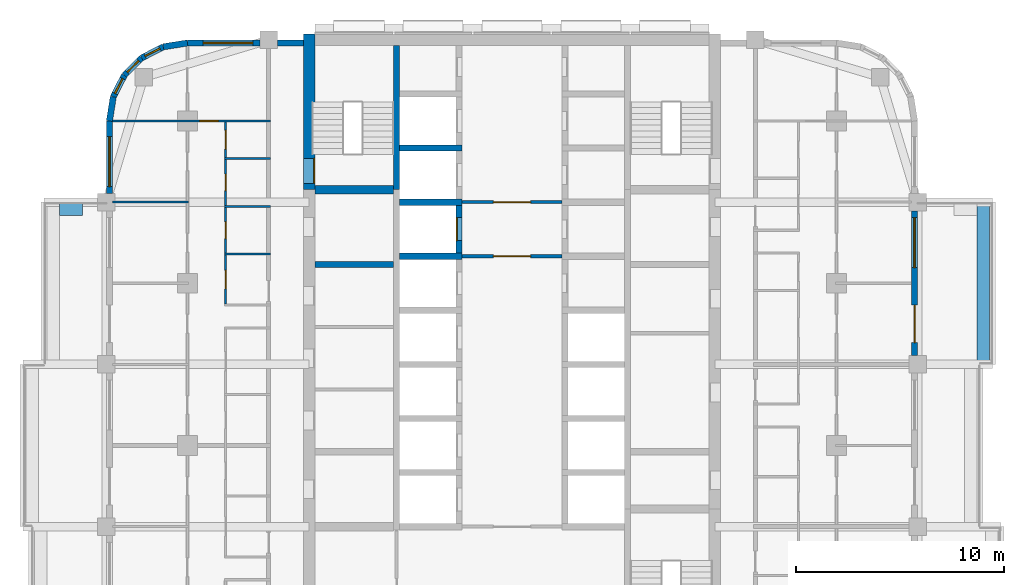
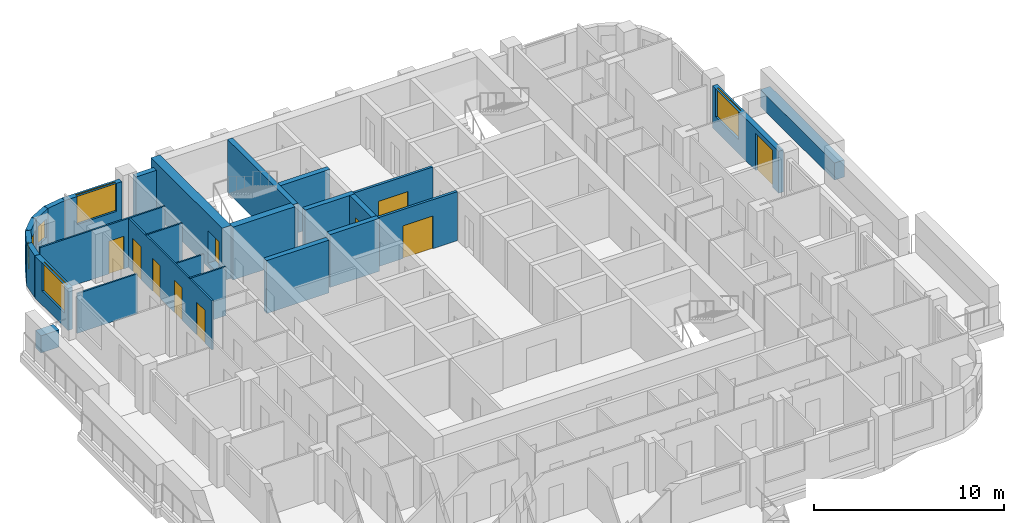
# One storey, part 8 of 14: 27 walls, 10 doors, 6 windows, 16 openings.
"""IFC4 building model written with IfcOpenShell, lengths in metres."""

import ifcopenshell
import ifcopenshell.guid

model = None  # the IFC model being written
_history = None  # IfcOwnerHistory: only IFC2X3 demands one
_inside = {}  # id of a spatial element -> (the spatial element, [elements in it])
_under = {}  # id of a project, library or spatial element -> (it, [spatial elements below it])
_declared = {}  # id of a project -> (the project, [libraries it declares])
_typed = {}  # id of a type object -> (the type object, [elements of that type])
_made_of = {}  # id of a material, layer set ... -> (it, [elements and type objects made of it])


def new_model(schema):
    """Start an empty IFC model of exactly this schema.

    Asked for "IFC4X3", IfcOpenShell would pick the latest addendum, in which some entities
    have other attributes; the version numbers below select the first issue.
    IFC2X3 requires an IfcOwnerHistory on every rooted entity: one is made here for all.
    """
    global model, _history
    if schema == "IFC4X3":
        model = ifcopenshell.file(schema_version=(4, 3, 0, 0))
    else:
        model = ifcopenshell.file(schema=schema)
    _inside.clear()
    _under.clear()
    _declared.clear()
    _typed.clear()
    _made_of.clear()
    _history = None
    if model.schema == "IFC2X3":
        org = make("IfcOrganization", Name="unknown")
        user = make(
            "IfcPersonAndOrganization",
            ThePerson=make("IfcPerson", FamilyName="unknown"),
            TheOrganization=org,
        )
        app = make(
            "IfcApplication",
            ApplicationDeveloper=org,
            Version="unknown",
            ApplicationFullName="unknown",
            ApplicationIdentifier="unknown",
        )
        _history = make(
            "IfcOwnerHistory",
            OwningUser=user,
            OwningApplication=app,
            ChangeAction="ADDED",
            CreationDate=0,
        )
    return model


def make(cls, **values):
    """One entity of the class cls with the attributes given. An attribute that is None is left unset."""
    return model.create_entity(
        cls, **{name: value for name, value in values.items() if value is not None}
    )


def rooted(cls, **values):
    """An entity with a GlobalId (a new one), such as an element, a storey or a relation."""
    return make(cls, GlobalId=ifcopenshell.guid.new(), OwnerHistory=_history, **values)


def si_unit(unit_type, name, prefix=None):
    """IfcSIUnit, for example si_unit("LENGTHUNIT", "METRE", prefix="MILLI")."""
    return make("IfcSIUnit", UnitType=unit_type, Prefix=prefix, Name=name)


def assignment(units):
    """IfcUnitAssignment: the units of a project."""
    return None if units is None else make("IfcUnitAssignment", Units=units)


def point(xyz):
    """IfcCartesianPoint."""
    return None if xyz is None else make("IfcCartesianPoint", Coordinates=xyz)


def direction(xyz):
    """IfcDirection."""
    return None if xyz is None else make("IfcDirection", DirectionRatios=xyz)


def frame(location, z_axis=None, x_axis=None):
    """IfcAxis2Placement3D, a coordinate frame: its origin and axes. An axis left out is left unset."""
    return make(
        "IfcAxis2Placement3D",
        Location=point(location),
        Axis=direction(z_axis),
        RefDirection=direction(x_axis),
    )


def frame_2d(location, x_axis=None):
    """IfcAxis2Placement2D, a coordinate frame in the plane: its origin and x axis."""
    return make(
        "IfcAxis2Placement2D", Location=point(location), RefDirection=direction(x_axis)
    )


def origin():
    """The frame at (0, 0, 0) with its axes left unset."""
    return frame((0.0, 0.0, 0.0))


def place(relative_to, where):
    """IfcLocalPlacement: puts the frame where relative to a parent placement (None: the world)."""
    return make(
        "IfcLocalPlacement", PlacementRelTo=relative_to, RelativePlacement=where
    )


def context(
    kind, dimensions, precision=None, world=None, true_north=None, identifier=None
):
    """IfcGeometricRepresentationContext, for example the 3D "Model" context."""
    return make(
        "IfcGeometricRepresentationContext",
        ContextIdentifier=identifier,
        ContextType=kind,
        CoordinateSpaceDimension=dimensions,
        Precision=precision,
        WorldCoordinateSystem=world,
        TrueNorth=true_north,
    )


def subcontext(parent, identifier, kind, view, scale=None):
    """IfcGeometricRepresentationSubContext, for example "Body" below "Model"."""
    return make(
        "IfcGeometricRepresentationSubContext",
        ContextIdentifier=identifier,
        ContextType=kind,
        ParentContext=parent,
        TargetScale=scale,
        TargetView=view,
    )


def project(units=None, contexts=None):
    """IfcProject with its units and contexts."""
    return rooted(
        "IfcProject",
        Name="project",
        RepresentationContexts=contexts,
        UnitsInContext=assignment(units),
    )


def spatial(cls, under=None, at=None, **own):
    """A site, building, storey or space (cls), placed at a placement, below another one or the project."""
    s = rooted(cls, ObjectPlacement=at, **own)
    if under is not None:
        _under.setdefault(under.id(), (under, []))[1].append(s)
    return s


def profile(cls, at=None, kind="AREA", **sizes):
    """A parametric profile (cls). Its sizes go by their IFC names, for example OverallWidth=200.0."""
    return make(cls, ProfileType=kind, Position=at, **sizes)


def rectangle(**sizes):
    """IfcRectangleProfileDef."""
    return profile("IfcRectangleProfileDef", **sizes)


def extrude(swept, where, along, depth):
    """IfcExtrudedAreaSolid: the profile swept, set in the frame where, extruded along a direction by depth."""
    return make(
        "IfcExtrudedAreaSolid",
        SweptArea=swept,
        Position=where,
        ExtrudedDirection=direction(along),
        Depth=depth,
    )


def shape(context_of_items, identifier, shape_type, items):
    """IfcShapeRepresentation: the items that make up one representation, for example the "Body"."""
    return make(
        "IfcShapeRepresentation",
        ContextOfItems=context_of_items,
        RepresentationIdentifier=identifier,
        RepresentationType=shape_type,
        Items=items,
    )


def material(Name=None, Category=None):
    """IfcMaterial."""
    return make("IfcMaterial", Name=Name, Category=Category)


def layer(
    of_material, thickness, ventilated=None, Name=None, Category=None, Priority=None
):
    """IfcMaterialLayer: one layer of a wall or slab, of a material (None: an air gap)."""
    return make(
        "IfcMaterialLayer",
        Material=of_material,
        LayerThickness=thickness,
        IsVentilated=ventilated,
        Name=Name,
        Category=Category,
        Priority=Priority,
    )


def layer_set(layers, Name=None):
    """IfcMaterialLayerSet."""
    return make("IfcMaterialLayerSet", MaterialLayers=layers, LayerSetName=Name)


def made_of(thing, what):
    """Note that an element or type object is made of a material, layer set ...; save() writes the relation."""
    if what is not None:
        _made_of.setdefault(what.id(), (what, []))[1].append(thing)
    return thing


def type_object(cls, material=None, **own):
    """A type object (cls), such as IfcWallType, which elements share."""
    return made_of(rooted(cls, **own), material)


def element(
    cls,
    number,
    at=None,
    inside=None,
    cuts=None,
    type_object=None,
    material=None,
    context=None,
    identifier="Body",
    shape_type=None,
    held_by="IfcProductDefinitionShape",
    body=None,
    shapes=None,
    **own,
):
    """One element of the class cls, such as IfcWall. Its Tag is "e" and its number.

    at: its placement. inside: the storey or other place that contains it. cuts: it is an
    opening in that element (IfcRelVoidsElement). A single representation is given by context,
    identifier, shape_type and body (its items); several are given by shapes. held_by: the class
    of the entity that holds the representations. save() writes the other relations.
    """
    e = rooted(cls, Tag="e%d" % number, ObjectPlacement=at, **own)
    if body is not None:
        shapes = [shape(context, identifier, shape_type, body)]
    if shapes is not None:
        e.Representation = make(held_by, Representations=shapes)
    if inside is not None:
        _inside.setdefault(inside.id(), (inside, []))[1].append(e)
    if cuts is not None:
        rooted(
            "IfcRelVoidsElement", RelatingBuildingElement=cuts, RelatedOpeningElement=e
        )
    if type_object is not None:
        _typed.setdefault(type_object.id(), (type_object, []))[1].append(e)
    return made_of(e, material)


def fill(opening, filler):
    """IfcRelFillsElement: the door or window that sits in an opening."""
    return rooted(
        "IfcRelFillsElement",
        RelatingOpeningElement=opening,
        RelatedBuildingElement=filler,
    )


def aggregate(whole, parts):
    """IfcRelAggregates: a whole, such as a stair, and the parts it consists of."""
    return rooted("IfcRelAggregates", RelatingObject=whole, RelatedObjects=parts)


def save(model, path):
    """Write the relations noted so far, then the file.

    IfcRelAggregates (storeys below a building ...), IfcRelContainedInSpatialStructure (elements
    in a storey), IfcRelDefinesByType, IfcRelAssociatesMaterial and IfcRelDeclares: one each for
    every whole, place, type object, material and project.
    """
    for whole, parts in _under.values():
        aggregate(whole, parts)
    for where, things in _inside.values():
        rooted(
            "IfcRelContainedInSpatialStructure",
            RelatedElements=things,
            RelatingStructure=where,
        )
    for kind, things in _typed.values():
        rooted("IfcRelDefinesByType", RelatedObjects=things, RelatingType=kind)
    for what, things in _made_of.values():
        rooted("IfcRelAssociatesMaterial", RelatedObjects=things, RelatingMaterial=what)
    for by, libraries in _declared.values():
        rooted("IfcRelDeclares", RelatingContext=by, RelatedDefinitions=libraries)
    model.write(path)


model = new_model("IFC4")

# Units and contexts
model_context = context("Model", 3, precision=1e-05, world=origin(), true_north=direction((0.0, 1.0)))
body_context = subcontext(model_context, "Body", "Model", "MODEL_VIEW")
ifc_project = project(units=[si_unit("LENGTHUNIT", "METRE"), si_unit("AREAUNIT", "SQUARE_METRE"), si_unit("VOLUMEUNIT", "CUBIC_METRE"), si_unit("PLANEANGLEUNIT", "RADIAN"), si_unit("MASSUNIT", "GRAM", prefix="KILO")], contexts=[model_context])

# Site, building, storey
site_placement = place(None, origin())
site = spatial("IfcSite", under=ifc_project, at=site_placement, CompositionType="ELEMENT")
building_placement = place(site_placement, origin())
building = spatial("IfcBuilding", under=site, at=building_placement, Name="Ludao Terraces", CompositionType="ELEMENT")
storey_placement = place(building_placement, frame((0.0, 0.0, 103.300048828125)))
storey = spatial("IfcBuildingStorey", under=building, at=storey_placement, Name="L28", CompositionType="ELEMENT", Elevation=103.300048828125)

# Wall, opening, door
ifc_material_1 = material(Name="Concrete C60", Category="concrete")
ifc_layer_1 = layer(ifc_material_1, 0.550048828125)
ifc_layer_set_1 = layer_set([ifc_layer_1], Name="Core wall 550 C60")
wall_type_1 = type_object("IfcWallType", Name="Core wall 550 C60", PredefinedType="SOLIDWALL", material=ifc_layer_set_1)
wall_1_placement = place(storey_placement, frame((75.25, 77.300048828125, -0.25), z_axis=(0.0, 0.0, 1.0), x_axis=(0.0, 1.0, 0.0)))
wall_1 = element("IfcWall", 1, at=wall_1_placement, inside=storey, type_object=wall_type_1, Name="Core wall L28 outer-W-S1", PredefinedType="SOLIDWALL", context=body_context, shape_type="SweptSolid", body=[
    extrude(rectangle(XDim=7.474853515625, YDim=0.550048828125, at=frame_2d((3.7373046875, 0.0))), origin(), (0.0, 0.0, 1.0), 3.39990234375),
])
opening_1_placement = place(wall_1_placement, frame((0.300048828125, 0.0, 0.25)))
opening_1 = element("IfcOpeningElement", 2, at=opening_1_placement, cuts=wall_1, Name="Opening R08-088", PredefinedType="OPENING", context=body_context, shape_type="SweptSolid", body=[
    extrude(rectangle(XDim=1.199951171875, YDim=2.10009765625, at=frame_2d((0.60009765625, 1.050048828125))), frame((0.0, 0.28515625, 0.0), z_axis=(0.0, -1.0, 0.0), x_axis=(1.0, 0.0, 0.0)), (0.0, 0.0, 1.0), 0.570068359375),
])
ifc_material_2 = material(Name="Steel Q235", Category="steel")
door_type_1 = type_object("IfcDoorType", Name="INT Stair door 1200", OperationType="DOUBLE_DOOR_SINGLE_SWING", PredefinedType="DOOR", material=ifc_material_2)
door_1_placement = place(opening_1_placement, origin())
door_1 = element("IfcDoor", 3, at=door_1_placement, inside=storey, type_object=door_type_1, Name="DOOR 088", OperationType="DOUBLE_DOOR_SINGLE_SWING", OverallHeight=2.10009765625, OverallWidth=1.199951171875, PredefinedType="DOOR", context=body_context, shape_type="SweptSolid", body=[
    extrude(rectangle(XDim=1.199951171875, YDim=2.10009765625, at=frame_2d((0.60009765625, 1.050048828125))), frame((0.0, -0.2099609375, 0.0), z_axis=(0.0, -1.0, 0.0), x_axis=(1.0, 0.0, 0.0)), (0.0, 0.0, 1.0), 0.050048828125),
])
fill(opening_1, door_1)

# Walls
ifc_material_3 = material(Name="Concrete C40", Category="concrete")
ifc_layer_2 = layer(ifc_material_3, 0.60009765625)
ifc_layer_set_2 = layer_set([ifc_layer_2], Name="ENV Planter trough 600")
wall_type_2 = type_object("IfcWallType", Name="ENV Planter trough 600", PredefinedType="USERDEFINED", material=ifc_layer_set_2)
wall_2_placement = place(storey_placement, frame((107.64990234375, 68.89990234375, 0.0), z_axis=(0.0, 0.0, 1.0), x_axis=(0.0, 1.0, 0.0)))
element("IfcWall", 4, at=wall_2_placement, inside=storey, type_object=wall_type_2, Name="PL-L28-E3", ObjectType="PLANTER", PredefinedType="USERDEFINED", context=body_context, shape_type="SweptSolid", body=[
    extrude(rectangle(XDim=7.800048828125, YDim=0.60009765625, at=frame_2d((3.89990234375, 0.0))), origin(), (0.0, 0.0, 1.0), 1.099853515625),
])
wall_3_placement = place(storey_placement, frame((63.25, 76.35009765625, 0.0), z_axis=(0.0, 0.0, 1.0), x_axis=(1.0, 0.0, 0.0)))
element("IfcWall", 5, at=wall_3_placement, inside=storey, type_object=wall_type_2, Name="PL-L28-W3-SB", ObjectType="PLANTER", PredefinedType="USERDEFINED", context=body_context, shape_type="SweptSolid", body=[
    extrude(rectangle(XDim=1.10009765625, YDim=0.60009765625, at=frame_2d((0.550048828125, 0.0))), origin(), (0.0, 0.0, 1.0), 1.099853515625),
])

# Wall, openings, door, window
ifc_material_4 = material(Name="Granite cladding", Category="masonry")
ifc_layer_3 = layer(ifc_material_4, 0.0400390625, Category="stone")
ifc_material_5 = material(Name="Mineral wool")
ifc_layer_4 = layer(ifc_material_5, 0.06005859375)
ifc_layer_5 = layer(ifc_material_3, 0.199951171875, Category="concrete")
ifc_layer_set_3 = layer_set([ifc_layer_3, ifc_layer_4, ifc_layer_5], Name="ENV Stone-clad wall 300")
wall_type_3 = type_object("IfcWallType", Name="ENV Stone-clad wall 300", PredefinedType="SOLIDWALL", material=ifc_layer_set_3)
wall_4_placement = place(storey_placement, frame((104.35009765625, 69.324951171875, 0.0), z_axis=(0.0, 0.0, 1.0), x_axis=(0.0, 1.0, 0.0)))
wall_4 = element("IfcWall", 6, at=wall_4_placement, inside=storey, type_object=wall_type_3, Name="EW-L28-E4", PredefinedType="SOLIDWALL", context=body_context, shape_type="SweptSolid", body=[
    extrude(rectangle(XDim=6.949951171875, YDim=0.300048828125, at=frame_2d((3.47509765625, 0.0))), origin(), (0.0, 0.0, 1.0), 2.699951171875),
])
opening_2_placement = place(wall_4_placement, frame((0.625, 0.0, 0.0)))
opening_2 = element("IfcOpeningElement", 7, at=opening_2_placement, cuts=wall_4, Name="Opening BD", PredefinedType="OPENING", context=body_context, shape_type="SweptSolid", body=[
    extrude(rectangle(XDim=1.800048828125, YDim=2.39990234375, at=frame_2d((0.89990234375, 1.199951171875))), frame((0.0, 0.16015625, 0.0), z_axis=(0.0, -1.0, 0.0), x_axis=(1.0, 0.0, 0.0)), (0.0, 0.0, 1.0), 0.320068359375),
])
opening_3_placement = place(wall_4_placement, frame((4.22509765625, 0.0, 0.89990234375)))
opening_3 = element("IfcOpeningElement", 8, at=opening_3_placement, cuts=wall_4, Name="Opening W1", PredefinedType="OPENING", context=body_context, shape_type="SweptSolid", body=[
    extrude(rectangle(XDim=2.39990234375, YDim=1.800048828125, at=frame_2d((1.199951171875, 0.89990234375))), frame((0.0, 0.16015625, 0.0), z_axis=(0.0, -1.0, 0.0), x_axis=(1.0, 0.0, 0.0)), (0.0, 0.0, 1.0), 0.320068359375),
])
ifc_material_6 = material(Name="Aluminium glazed door", Category="aluminium")
ifc_layer_6 = layer(ifc_material_6, 0.06005859375)
ifc_layer_set_4 = layer_set([ifc_layer_6], Name="ENV Balcony door BD 1800x2400")
door_type_2 = type_object("IfcDoorType", Name="ENV Balcony door BD 1800x2400", OperationType="DOUBLE_DOOR_SINGLE_SWING", PredefinedType="DOOR", material=ifc_layer_set_4)
door_2_placement = place(opening_2_placement, origin())
door_2 = element("IfcDoor", 9, at=door_2_placement, inside=storey, type_object=door_type_2, Name="BD-L28-E4-1", OperationType="DOUBLE_DOOR_SINGLE_SWING", OverallHeight=2.39990234375, OverallWidth=1.800048828125, PredefinedType="DOOR", context=body_context, shape_type="SweptSolid", body=[
    extrude(rectangle(XDim=1.800048828125, YDim=2.39990234375, at=frame_2d((0.89990234375, 1.199951171875))), frame((0.0, 0.02490234375, 0.0), z_axis=(0.0, -1.0, 0.0), x_axis=(1.0, 0.0, 0.0)), (0.0, 0.0, 1.0), 0.050048828125),
])
fill(opening_2, door_2)
ifc_material_7 = material(Name="Clear glass in aluminium frame", Category="aluminium")
ifc_layer_7 = layer(ifc_material_7, 0.06005859375)
ifc_layer_set_5 = layer_set([ifc_layer_7], Name="ENV Window W1 2400x1800")
window_type_1 = type_object("IfcWindowType", Name="ENV Window W1 2400x1800", PartitioningType="DOUBLE_PANEL_VERTICAL", PredefinedType="WINDOW", material=ifc_layer_set_5)
window_1_placement = place(opening_3_placement, origin())
window_1 = element("IfcWindow", 10, at=window_1_placement, inside=storey, type_object=window_type_1, Name="W-L28-E4-2", OverallHeight=1.800048828125, OverallWidth=2.39990234375, PartitioningType="DOUBLE_PANEL_VERTICAL", PredefinedType="WINDOW", context=body_context, shape_type="SweptSolid", body=[
    extrude(rectangle(XDim=2.39990234375, YDim=1.800048828125, at=frame_2d((1.199951171875, 0.89990234375))), frame((0.0, 0.030029296875, 0.0), z_axis=(0.0, -1.0, 0.0), x_axis=(1.0, 0.0, 0.0)), (0.0, 0.0, 1.0), 0.06005859375),
])
fill(opening_3, window_1)

# Wall, opening, window
wall_5_placement = place(storey_placement, frame((69.39990234375, 84.35009765625, 0.0), z_axis=(0.0, 0.0, 1.0), x_axis=(1.0, 0.0, 0.0)))
wall_5 = element("IfcWall", 11, at=wall_5_placement, inside=storey, type_object=wall_type_3, Name="EW-L28-N1", PredefinedType="SOLIDWALL", context=body_context, shape_type="SweptSolid", body=[
    extrude(rectangle(XDim=3.47509765625, YDim=0.300048828125, at=frame_2d((1.737548828125, 0.0))), origin(), (0.0, 0.0, 1.0), 2.699951171875),
])
opening_4_placement = place(wall_5_placement, frame((0.75, 0.0, 0.89990234375)))
opening_4 = element("IfcOpeningElement", 12, at=opening_4_placement, cuts=wall_5, Name="Opening W1", PredefinedType="OPENING", context=body_context, shape_type="SweptSolid", body=[
    extrude(rectangle(XDim=2.39990234375, YDim=1.800048828125, at=frame_2d((1.199951171875, 0.89990234375))), frame((0.0, 0.16015625, 0.0), z_axis=(0.0, -1.0, 0.0), x_axis=(1.0, 0.0, 0.0)), (0.0, 0.0, 1.0), 0.320068359375),
])
window_2_placement = place(opening_4_placement, origin())
window_2 = element("IfcWindow", 13, at=window_2_placement, inside=storey, type_object=window_type_1, Name="W-L28-N1-1", OverallHeight=1.800048828125, OverallWidth=2.39990234375, PartitioningType="DOUBLE_PANEL_VERTICAL", PredefinedType="WINDOW", context=body_context, shape_type="SweptSolid", body=[
    extrude(rectangle(XDim=2.39990234375, YDim=1.800048828125, at=frame_2d((1.199951171875, 0.89990234375))), frame((0.0, 0.030029296875, 0.0), z_axis=(0.0, -1.0, 0.0), x_axis=(1.0, 0.0, 0.0)), (0.0, 0.0, 1.0), 0.06005859375),
])
fill(opening_4, window_2)

# Wall
wall_6_placement = place(storey_placement, frame((73.72509765625, 84.35009765625, 0.0), z_axis=(0.0, 0.0, 1.0), x_axis=(1.0, 0.0, 0.0)))
element("IfcWall", 14, at=wall_6_placement, inside=storey, type_object=wall_type_3, Name="EW-L28-N2", PredefinedType="SOLIDWALL", context=body_context, shape_type="SweptSolid", body=[
    extrude(rectangle(XDim=1.25, YDim=0.300048828125, at=frame_2d((0.625, 0.0))), origin(), (0.0, 0.0, 1.0), 2.699951171875),
])

# Wall, opening, window
wall_7_placement = place(storey_placement, frame((65.64990234375, 77.125, 0.0), z_axis=(0.0, 0.0, 1.0), x_axis=(0.0, 1.0, 0.0)))
wall_7 = element("IfcWall", 15, at=wall_7_placement, inside=storey, type_object=wall_type_3, Name="EW-L28-W5", PredefinedType="SOLIDWALL", context=body_context, shape_type="SweptSolid", body=[
    extrude(rectangle(XDim=3.47509765625, YDim=0.300048828125, at=frame_2d((1.737548828125, 0.0))), origin(), (0.0, 0.0, 1.0), 2.699951171875),
])
opening_5_placement = place(wall_7_placement, frame((0.324951171875, 0.0, 0.89990234375)))
opening_5 = element("IfcOpeningElement", 16, at=opening_5_placement, cuts=wall_7, Name="Opening W1", PredefinedType="OPENING", context=body_context, shape_type="SweptSolid", body=[
    extrude(rectangle(XDim=2.39990234375, YDim=1.800048828125, at=frame_2d((1.199951171875, 0.89990234375))), frame((0.0, 0.16015625, 0.0), z_axis=(0.0, -1.0, 0.0), x_axis=(1.0, 0.0, 0.0)), (0.0, 0.0, 1.0), 0.320068359375),
])
window_3_placement = place(opening_5_placement, origin())
window_3 = element("IfcWindow", 17, at=window_3_placement, inside=storey, type_object=window_type_1, Name="W-L28-W5-1", OverallHeight=1.800048828125, OverallWidth=2.39990234375, PartitioningType="DOUBLE_PANEL_VERTICAL", PredefinedType="WINDOW", context=body_context, shape_type="SweptSolid", body=[
    extrude(rectangle(XDim=2.39990234375, YDim=1.800048828125, at=frame_2d((1.199951171875, 0.89990234375))), frame((0.0, 0.030029296875, 0.0), z_axis=(0.0, -1.0, 0.0), x_axis=(1.0, 0.0, 0.0)), (0.0, 0.0, 1.0), 0.06005859375),
])
fill(opening_5, window_3)

# Wall
wall_8_placement = place(storey_placement, frame((69.39990234375, 84.35009765625, 0.0), z_axis=(0.0, 0.0, 1.0), x_axis=(-0.987678452879, -0.156496880861, 0.0)))
element("IfcWall", 18, at=wall_8_placement, inside=storey, type_object=wall_type_3, Name="EW-L28-NW1", PredefinedType="SOLIDWALL", context=body_context, shape_type="SweptSolid", body=[
    extrude(rectangle(XDim=1.173095703125, YDim=0.300048828125, at=frame_2d((0.58642578125, 0.0))), origin(), (0.0, 0.0, 1.0), 2.699951171875),
])

# Wall, opening, window
wall_9_placement = place(storey_placement, frame((68.2412109375, 84.16650390625, 0.0), z_axis=(0.0, 0.0, 1.0), x_axis=(-0.890988677504, -0.454025524128, 0.0)))
wall_9 = element("IfcWall", 19, at=wall_9_placement, inside=storey, type_object=wall_type_3, Name="EW-L28-NW2", PredefinedType="SOLIDWALL", context=body_context, shape_type="SweptSolid", body=[
    extrude(rectangle(XDim=1.17333984375, YDim=0.300048828125, at=frame_2d((0.586669921875, 0.0))), origin(), (0.0, 0.0, 1.0), 2.699951171875),
])
opening_6_placement = place(wall_9_placement, frame((0.1865234375, 0.0, 0.89990234375)))
opening_6 = element("IfcOpeningElement", 20, at=opening_6_placement, cuts=wall_9, Name="Opening W3", PredefinedType="OPENING", context=body_context, shape_type="SweptSolid", body=[
    extrude(rectangle(XDim=0.800048828125, YDim=1.199951171875, at=frame_2d((0.39990234375, 0.60009765625))), frame((0.0, 0.16015625, 0.0), z_axis=(0.0, -1.0, 0.0), x_axis=(1.0, 0.0, 0.0)), (0.0, 0.0, 1.0), 0.320068359375),
])
ifc_layer_8 = layer(ifc_material_7, 0.06005859375)
ifc_layer_set_6 = layer_set([ifc_layer_8], Name="ENV Window W3 800x1200")
window_type_2 = type_object("IfcWindowType", Name="ENV Window W3 800x1200", PartitioningType="SINGLE_PANEL", PredefinedType="WINDOW", material=ifc_layer_set_6)
window_4_placement = place(opening_6_placement, origin())
window_4 = element("IfcWindow", 21, at=window_4_placement, inside=storey, type_object=window_type_2, Name="W-L28-NW2", OverallHeight=1.199951171875, OverallWidth=0.800048828125, PartitioningType="SINGLE_PANEL", PredefinedType="WINDOW", context=body_context, shape_type="SweptSolid", body=[
    extrude(rectangle(XDim=0.800048828125, YDim=1.199951171875, at=frame_2d((0.39990234375, 0.60009765625))), frame((0.0, 0.030029296875, 0.0), z_axis=(0.0, -1.0, 0.0), x_axis=(1.0, 0.0, 0.0)), (0.0, 0.0, 1.0), 0.06005859375),
])
fill(opening_6, window_4)

wall_10_placement = place(storey_placement, frame((67.19580078125, 83.6337890625, 0.0), z_axis=(0.0, 0.0, 1.0), x_axis=(-0.707106781187, -0.707106781187, 0.0)))
wall_10 = element("IfcWall", 22, at=wall_10_placement, inside=storey, type_object=wall_type_3, Name="EW-L28-NW3", PredefinedType="SOLIDWALL", context=body_context, shape_type="SweptSolid", body=[
    extrude(rectangle(XDim=1.173095703125, YDim=0.300048828125, at=frame_2d((0.58642578125, 0.0))), origin(), (0.0, 0.0, 1.0), 2.699951171875),
])
opening_7_placement = place(wall_10_placement, frame((0.1865234375, 0.0, 0.89990234375)))
opening_7 = element("IfcOpeningElement", 23, at=opening_7_placement, cuts=wall_10, Name="Opening W3", PredefinedType="OPENING", context=body_context, shape_type="SweptSolid", body=[
    extrude(rectangle(XDim=0.800048828125, YDim=1.199951171875, at=frame_2d((0.39990234375, 0.60009765625))), frame((0.0, 0.16015625, 0.0), z_axis=(0.0, -1.0, 0.0), x_axis=(1.0, 0.0, 0.0)), (0.0, 0.0, 1.0), 0.320068359375),
])
window_5_placement = place(opening_7_placement, origin())
window_5 = element("IfcWindow", 24, at=window_5_placement, inside=storey, type_object=window_type_2, Name="W-L28-NW3", OverallHeight=1.199951171875, OverallWidth=0.800048828125, PartitioningType="SINGLE_PANEL", PredefinedType="WINDOW", context=body_context, shape_type="SweptSolid", body=[
    extrude(rectangle(XDim=0.800048828125, YDim=1.199951171875, at=frame_2d((0.39990234375, 0.60009765625))), frame((0.0, 0.030029296875, 0.0), z_axis=(0.0, -1.0, 0.0), x_axis=(1.0, 0.0, 0.0)), (0.0, 0.0, 1.0), 0.06005859375),
])
fill(opening_7, window_5)

wall_11_placement = place(storey_placement, frame((66.3662109375, 82.80419921875, 0.0), z_axis=(0.0, 0.0, 1.0), x_axis=(-0.454025524128, -0.890988677504, 0.0)))
wall_11 = element("IfcWall", 25, at=wall_11_placement, inside=storey, type_object=wall_type_3, Name="EW-L28-NW4", PredefinedType="SOLIDWALL", context=body_context, shape_type="SweptSolid", body=[
    extrude(rectangle(XDim=1.17333984375, YDim=0.300048828125, at=frame_2d((0.586669921875, 0.0))), origin(), (0.0, 0.0, 1.0), 2.699951171875),
])
opening_8_placement = place(wall_11_placement, frame((0.1865234375, 0.0, 0.89990234375)))
opening_8 = element("IfcOpeningElement", 26, at=opening_8_placement, cuts=wall_11, Name="Opening W3", PredefinedType="OPENING", context=body_context, shape_type="SweptSolid", body=[
    extrude(rectangle(XDim=0.800048828125, YDim=1.199951171875, at=frame_2d((0.39990234375, 0.60009765625))), frame((0.0, 0.16015625, 0.0), z_axis=(0.0, -1.0, 0.0), x_axis=(1.0, 0.0, 0.0)), (0.0, 0.0, 1.0), 0.320068359375),
])
window_6_placement = place(opening_8_placement, origin())
window_6 = element("IfcWindow", 27, at=window_6_placement, inside=storey, type_object=window_type_2, Name="W-L28-NW4", OverallHeight=1.199951171875, OverallWidth=0.800048828125, PartitioningType="SINGLE_PANEL", PredefinedType="WINDOW", context=body_context, shape_type="SweptSolid", body=[
    extrude(rectangle(XDim=0.800048828125, YDim=1.199951171875, at=frame_2d((0.39990234375, 0.60009765625))), frame((0.0, 0.030029296875, 0.0), z_axis=(0.0, -1.0, 0.0), x_axis=(1.0, 0.0, 0.0)), (0.0, 0.0, 1.0), 0.06005859375),
])
fill(opening_8, window_6)

# Wall
wall_12_placement = place(storey_placement, frame((65.83349609375, 81.7587890625, 0.0), z_axis=(0.0, 0.0, 1.0), x_axis=(-0.156496880861, -0.987678452879, 0.0)))
element("IfcWall", 28, at=wall_12_placement, inside=storey, type_object=wall_type_3, Name="EW-L28-NW5", PredefinedType="SOLIDWALL", context=body_context, shape_type="SweptSolid", body=[
    extrude(rectangle(XDim=1.173095703125, YDim=0.300048828125, at=frame_2d((0.58642578125, 0.0))), origin(), (0.0, 0.0, 1.0), 2.699951171875),
])

# Wall, opening, door
ifc_material_8 = material(Name="Fire-rated gypsum plasterboard", Category="gypsum")
ifc_layer_9 = layer(ifc_material_8, 0.012451171875, Category="gypsum")
ifc_layer_10 = layer(ifc_material_5, 0.10009765625, Name="insulation")
ifc_layer_11 = layer(ifc_material_2, 0.02490234375, Name="stud")
ifc_layer_12 = layer(ifc_material_8, 0.012451171875, Category="gypsum")
ifc_layer_set_7 = layer_set([ifc_layer_9, ifc_layer_10, ifc_layer_11, ifc_layer_12], Name="INT Core partition 150")
wall_type_4 = type_object("IfcWallType", Name="INT Core partition 150", PredefinedType="PARTITIONING", material=ifc_layer_set_7)
wall_13_placement = place(storey_placement, frame((82.60009765625, 74.10009765625, 0.0), z_axis=(0.0, 0.0, 1.0), x_axis=(1.0, 0.0, 0.0)))
wall_13 = element("IfcWall", 29, at=wall_13_placement, inside=storey, type_object=wall_type_4, Name="PW-L28-PW038", PredefinedType="PARTITIONING", context=body_context, shape_type="SweptSolid", body=[
    extrude(rectangle(XDim=4.800048828125, YDim=0.14990234375, at=frame_2d((2.39990234375, 0.0))), origin(), (0.0, 0.0, 1.0), 3.14990234375),
])
opening_9_placement = place(wall_13_placement, frame((1.5, 0.0, 0.0)))
opening_9 = element("IfcOpeningElement", 30, at=opening_9_placement, cuts=wall_13, Name="Opening R08-074", PredefinedType="OPENING", context=body_context, shape_type="SweptSolid", body=[
    extrude(rectangle(XDim=1.800048828125, YDim=2.10009765625, at=frame_2d((0.89990234375, 1.050048828125))), frame((0.0, 0.0849609375, 0.0), z_axis=(0.0, -1.0, 0.0), x_axis=(1.0, 0.0, 0.0)), (0.0, 0.0, 1.0), 0.169921875),
])
door_type_3 = type_object("IfcDoorType", Name="INT Fire lobby door 1800", OperationType="DOUBLE_DOOR_SINGLE_SWING", PredefinedType="DOOR", material=ifc_material_2)
door_3_placement = place(opening_9_placement, origin())
door_3 = element("IfcDoor", 31, at=door_3_placement, inside=storey, type_object=door_type_3, Name="DOOR 074", OperationType="DOUBLE_DOOR_SINGLE_SWING", OverallHeight=2.10009765625, OverallWidth=1.800048828125, PredefinedType="DOOR", context=body_context, shape_type="SweptSolid", body=[
    extrude(rectangle(XDim=1.800048828125, YDim=2.10009765625, at=frame_2d((0.89990234375, 1.050048828125))), frame((0.0, 0.02490234375, 0.0), z_axis=(0.0, -1.0, 0.0), x_axis=(1.0, 0.0, 0.0)), (0.0, 0.0, 1.0), 0.050048828125),
])
fill(opening_9, door_3)

wall_14_placement = place(storey_placement, frame((82.60009765625, 76.699951171875, 0.0), z_axis=(0.0, 0.0, 1.0), x_axis=(1.0, 0.0, 0.0)))
wall_14 = element("IfcWall", 32, at=wall_14_placement, inside=storey, type_object=wall_type_4, Name="PW-L28-PW044", PredefinedType="PARTITIONING", context=body_context, shape_type="SweptSolid", body=[
    extrude(rectangle(XDim=4.800048828125, YDim=0.14990234375, at=frame_2d((2.39990234375, 0.0))), origin(), (0.0, 0.0, 1.0), 3.14990234375),
])
opening_10_placement = place(wall_14_placement, frame((1.5, 0.0, 0.0)))
opening_10 = element("IfcOpeningElement", 33, at=opening_10_placement, cuts=wall_14, Name="Opening R08-084", PredefinedType="OPENING", context=body_context, shape_type="SweptSolid", body=[
    extrude(rectangle(XDim=1.800048828125, YDim=2.10009765625, at=frame_2d((0.89990234375, 1.050048828125))), frame((0.0, 0.0849609375, 0.0), z_axis=(0.0, -1.0, 0.0), x_axis=(1.0, 0.0, 0.0)), (0.0, 0.0, 1.0), 0.169921875),
])
door_4_placement = place(opening_10_placement, origin())
door_4 = element("IfcDoor", 34, at=door_4_placement, inside=storey, type_object=door_type_3, Name="DOOR 084", OperationType="DOUBLE_DOOR_SINGLE_SWING", OverallHeight=2.10009765625, OverallWidth=1.800048828125, PredefinedType="DOOR", context=body_context, shape_type="SweptSolid", body=[
    extrude(rectangle(XDim=1.800048828125, YDim=2.10009765625, at=frame_2d((0.89990234375, 1.050048828125))), frame((0.0, 0.02490234375, 0.0), z_axis=(0.0, -1.0, 0.0), x_axis=(1.0, 0.0, 0.0)), (0.0, 0.0, 1.0), 0.050048828125),
])
fill(opening_10, door_4)

# Walls
ifc_material_9 = material(Name="Gypsum plasterboard", Category="gypsum")
ifc_layer_13 = layer(ifc_material_9, 0.012451171875, Category="gypsum")
ifc_layer_14 = layer(ifc_material_5, 0.06005859375, Name="insulation")
ifc_layer_15 = layer(ifc_material_2, 0.014892578125, Name="stud")
ifc_layer_16 = layer(ifc_material_9, 0.012451171875, Category="gypsum")
ifc_layer_set_8 = layer_set([ifc_layer_13, ifc_layer_14, ifc_layer_15, ifc_layer_16], Name="INT Partition 100")
wall_type_5 = type_object("IfcWallType", Name="INT Partition 100", PredefinedType="PARTITIONING", material=ifc_layer_set_8)
wall_15_placement = place(storey_placement, frame((71.18017578125, 74.199951171875, 0.0), z_axis=(0.0, 0.0, 1.0), x_axis=(1.0, 0.0, 0.0)))
element("IfcWall", 35, at=wall_15_placement, inside=storey, type_object=wall_type_5, Name="PW-L28-PW039", PredefinedType="PARTITIONING", context=body_context, shape_type="SweptSolid", body=[
    extrude(rectangle(XDim=2.219970703125, YDim=0.10009765625, at=frame_2d((1.10986328125, 0.0))), origin(), (0.0, 0.0, 1.0), 3.14990234375),
])
wall_16_placement = place(storey_placement, frame((71.18017578125, 76.5, 0.0), z_axis=(0.0, 0.0, 1.0), x_axis=(1.0, 0.0, 0.0)))
element("IfcWall", 36, at=wall_16_placement, inside=storey, type_object=wall_type_5, Name="PW-L28-PW042", PredefinedType="PARTITIONING", context=body_context, shape_type="SweptSolid", body=[
    extrude(rectangle(XDim=2.219970703125, YDim=0.10009765625, at=frame_2d((1.10986328125, 0.0))), origin(), (0.0, 0.0, 1.0), 2.5498046875),
])
wall_17_placement = place(storey_placement, frame((65.800048828125, 76.699951171875, 0.0), z_axis=(0.0, 0.0, 1.0), x_axis=(1.0, 0.0, 0.0)))
element("IfcWall", 37, at=wall_17_placement, inside=storey, type_object=wall_type_5, Name="PW-L28-PW043", PredefinedType="PARTITIONING", context=body_context, shape_type="SweptSolid", body=[
    extrude(rectangle(XDim=3.650146484375, YDim=0.10009765625, at=frame_2d((1.8251953125, 0.0))), origin(), (0.0, 0.0, 1.0), 2.5498046875),
])
wall_18_placement = place(storey_placement, frame((71.18017578125, 78.800048828125, 0.0), z_axis=(0.0, 0.0, 1.0), x_axis=(1.0, 0.0, 0.0)))
element("IfcWall", 38, at=wall_18_placement, inside=storey, type_object=wall_type_5, Name="PW-L28-PW047", PredefinedType="PARTITIONING", context=body_context, shape_type="SweptSolid", body=[
    extrude(rectangle(XDim=2.219970703125, YDim=0.10009765625, at=frame_2d((1.10986328125, 0.0))), origin(), (0.0, 0.0, 1.0), 3.14990234375),
])

# Wall, opening, door
wall_19_placement = place(storey_placement, frame((65.800048828125, 80.60009765625, 0.0), z_axis=(0.0, 0.0, 1.0), x_axis=(1.0, 0.0, 0.0)))
wall_19 = element("IfcWall", 39, at=wall_19_placement, inside=storey, type_object=wall_type_5, Name="PW-L28-PW048", PredefinedType="PARTITIONING", context=body_context, shape_type="SweptSolid", body=[
    extrude(rectangle(XDim=7.60009765625, YDim=0.10009765625, at=frame_2d((3.800048828125, 0.0))), origin(), (0.0, 0.0, 1.0), 3.14990234375),
])
opening_11_placement = place(wall_19_placement, frame((4.18994140625, 0.0, 0.0)))
opening_11 = element("IfcOpeningElement", 40, at=opening_11_placement, cuts=wall_19, Name="Opening R08-094", PredefinedType="OPENING", context=body_context, shape_type="SweptSolid", body=[
    extrude(rectangle(XDim=0.89990234375, YDim=2.10009765625, at=frame_2d((0.449951171875, 1.050048828125))), frame((0.0, 0.06005859375, 0.0), z_axis=(0.0, -1.0, 0.0), x_axis=(1.0, 0.0, 0.0)), (0.0, 0.0, 1.0), 0.1201171875),
])
ifc_material_10 = material(Name="Timber door leaf", Category="wood")
door_type_4 = type_object("IfcDoorType", Name="INT Room door 900", OperationType="SINGLE_SWING_LEFT", PredefinedType="DOOR", material=ifc_material_10)
door_5_placement = place(opening_11_placement, origin())
door_5 = element("IfcDoor", 41, at=door_5_placement, inside=storey, type_object=door_type_4, Name="DOOR 094", OperationType="SINGLE_SWING_LEFT", OverallHeight=2.10009765625, OverallWidth=0.89990234375, PredefinedType="DOOR", context=body_context, shape_type="SweptSolid", body=[
    extrude(rectangle(XDim=0.89990234375, YDim=2.10009765625, at=frame_2d((0.449951171875, 1.050048828125))), frame((0.0, 0.02490234375, 0.0), z_axis=(0.0, -1.0, 0.0), x_axis=(1.0, 0.0, 0.0)), (0.0, 0.0, 1.0), 0.050048828125),
])
fill(opening_11, door_5)

# Wall, openings, doors
wall_20_placement = place(storey_placement, frame((71.22998046875, 71.800048828125, 0.0), z_axis=(0.0, 0.0, 1.0), x_axis=(0.0, 1.0, 0.0)))
wall_20 = element("IfcWall", 42, at=wall_20_placement, inside=storey, type_object=wall_type_5, Name="PW-L28-PW053", PredefinedType="PARTITIONING", context=body_context, shape_type="SweptSolid", body=[
    extrude(rectangle(XDim=8.75, YDim=0.10009765625, at=frame_2d((4.375, 0.0))), origin(), (0.0, 0.0, 1.0), 3.14990234375),
])
opening_12_placement = place(wall_20_placement, frame((0.72509765625, 0.0, 0.0)))
opening_12 = element("IfcOpeningElement", 43, at=opening_12_placement, cuts=wall_20, Name="Opening R08-072", PredefinedType="OPENING", context=body_context, shape_type="SweptSolid", body=[
    extrude(rectangle(XDim=0.89990234375, YDim=2.10009765625, at=frame_2d((0.449951171875, 1.050048828125))), frame((0.0, 0.06005859375, 0.0), z_axis=(0.0, -1.0, 0.0), x_axis=(1.0, 0.0, 0.0)), (0.0, 0.0, 1.0), 0.1201171875),
])
opening_13_placement = place(wall_20_placement, frame((3.14990234375, 0.0, 0.0)))
opening_13 = element("IfcOpeningElement", 44, at=opening_13_placement, cuts=wall_20, Name="Opening R08-077", PredefinedType="OPENING", context=body_context, shape_type="SweptSolid", body=[
    extrude(rectangle(XDim=0.800048828125, YDim=2.10009765625, at=frame_2d((0.39990234375, 1.050048828125))), frame((0.0, 0.06005859375, 0.0), z_axis=(0.0, -1.0, 0.0), x_axis=(1.0, 0.0, 0.0)), (0.0, 0.0, 1.0), 0.1201171875),
])
opening_14_placement = place(wall_20_placement, frame((5.449951171875, 0.0, 0.0)))
opening_14 = element("IfcOpeningElement", 45, at=opening_14_placement, cuts=wall_20, Name="Opening R08-085", PredefinedType="OPENING", context=body_context, shape_type="SweptSolid", body=[
    extrude(rectangle(XDim=0.800048828125, YDim=2.10009765625, at=frame_2d((0.39990234375, 1.050048828125))), frame((0.0, 0.06005859375, 0.0), z_axis=(0.0, -1.0, 0.0), x_axis=(1.0, 0.0, 0.0)), (0.0, 0.0, 1.0), 0.1201171875),
])
opening_15_placement = place(wall_20_placement, frame((7.449951171875, 0.0, 0.0)))
opening_15 = element("IfcOpeningElement", 46, at=opening_15_placement, cuts=wall_20, Name="Opening R08-093", PredefinedType="OPENING", context=body_context, shape_type="SweptSolid", body=[
    extrude(rectangle(XDim=0.89990234375, YDim=2.10009765625, at=frame_2d((0.449951171875, 1.050048828125))), frame((0.0, 0.06005859375, 0.0), z_axis=(0.0, -1.0, 0.0), x_axis=(1.0, 0.0, 0.0)), (0.0, 0.0, 1.0), 0.1201171875),
])
door_type_5 = type_object("IfcDoorType", Name="INT Bathroom door 900", OperationType="SINGLE_SWING_LEFT", PredefinedType="DOOR", material=ifc_material_10)
door_6_placement = place(opening_12_placement, origin())
door_6 = element("IfcDoor", 47, at=door_6_placement, inside=storey, type_object=door_type_5, Name="DOOR 072", OperationType="SINGLE_SWING_RIGHT", OverallHeight=2.10009765625, OverallWidth=0.89990234375, PredefinedType="DOOR", context=body_context, shape_type="SweptSolid", body=[
    extrude(rectangle(XDim=0.89990234375, YDim=2.10009765625, at=frame_2d((0.449951171875, 1.050048828125))), frame((0.0, 0.02490234375, 0.0), z_axis=(0.0, -1.0, 0.0), x_axis=(1.0, 0.0, 0.0)), (0.0, 0.0, 1.0), 0.050048828125),
])
fill(opening_12, door_6)
door_7_placement = place(opening_15_placement, origin())
door_7 = element("IfcDoor", 48, at=door_7_placement, inside=storey, type_object=door_type_5, Name="DOOR 093", OperationType="SINGLE_SWING_RIGHT", OverallHeight=2.10009765625, OverallWidth=0.89990234375, PredefinedType="DOOR", context=body_context, shape_type="SweptSolid", body=[
    extrude(rectangle(XDim=0.89990234375, YDim=2.10009765625, at=frame_2d((0.449951171875, 1.050048828125))), frame((0.0, 0.02490234375, 0.0), z_axis=(0.0, -1.0, 0.0), x_axis=(1.0, 0.0, 0.0)), (0.0, 0.0, 1.0), 0.050048828125),
])
fill(opening_15, door_7)
door_type_6 = type_object("IfcDoorType", Name="INT Store door 800", OperationType="SINGLE_SWING_LEFT", PredefinedType="DOOR", material=ifc_material_10)
door_8_placement = place(opening_13_placement, origin())
door_8 = element("IfcDoor", 49, at=door_8_placement, inside=storey, type_object=door_type_6, Name="DOOR 077", OperationType="SINGLE_SWING_RIGHT", OverallHeight=2.10009765625, OverallWidth=0.800048828125, PredefinedType="DOOR", context=body_context, shape_type="SweptSolid", body=[
    extrude(rectangle(XDim=0.800048828125, YDim=2.10009765625, at=frame_2d((0.39990234375, 1.050048828125))), frame((0.0, 0.02490234375, 0.0), z_axis=(0.0, -1.0, 0.0), x_axis=(1.0, 0.0, 0.0)), (0.0, 0.0, 1.0), 0.050048828125),
])
fill(opening_13, door_8)
door_9_placement = place(opening_14_placement, origin())
door_9 = element("IfcDoor", 50, at=door_9_placement, inside=storey, type_object=door_type_6, Name="DOOR 085", OperationType="SINGLE_SWING_LEFT", OverallHeight=2.10009765625, OverallWidth=0.800048828125, PredefinedType="DOOR", context=body_context, shape_type="SweptSolid", body=[
    extrude(rectangle(XDim=0.800048828125, YDim=2.10009765625, at=frame_2d((0.39990234375, 1.050048828125))), frame((0.0, 0.02490234375, 0.0), z_axis=(0.0, -1.0, 0.0), x_axis=(1.0, 0.0, 0.0)), (0.0, 0.0, 1.0), 0.050048828125),
])
fill(opening_14, door_9)

# Walls
ifc_material_11 = material(Name="Concrete C55", Category="concrete")
ifc_layer_17 = layer(ifc_material_11, 0.300048828125)
ifc_layer_set_9 = layer_set([ifc_layer_17], Name="Shaft wall 300 C55")
wall_type_6 = type_object("IfcWallType", Name="Shaft wall 300 C55", PredefinedType="SOLIDWALL", material=ifc_layer_set_9)
wall_21_placement = place(storey_placement, frame((79.449951171875, 77.300048828125, -0.25), z_axis=(0.0, 0.0, 1.0), x_axis=(0.0, 1.0, 0.0)))
element("IfcWall", 51, at=wall_21_placement, inside=storey, type_object=wall_type_6, Name="Core wall L28 back-W-S1", PredefinedType="SOLIDWALL", context=body_context, shape_type="SweptSolid", body=[
    extrude(rectangle(XDim=6.925048828125, YDim=0.300048828125, at=frame_2d((3.46240234375, 0.0))), origin(), (0.0, 0.0, 1.0), 3.39990234375),
])
wall_22_placement = place(storey_placement, frame((79.60009765625, 74.10009765625, -0.25), z_axis=(0.0, 0.0, 1.0), x_axis=(1.0, 0.0, 0.0)))
element("IfcWall", 52, at=wall_22_placement, inside=storey, type_object=wall_type_6, Name="Core wall L28 div-W6", PredefinedType="SOLIDWALL", context=body_context, shape_type="SweptSolid", body=[
    extrude(rectangle(XDim=3.0, YDim=0.300048828125, at=frame_2d((1.5, 0.0))), origin(), (0.0, 0.0, 1.0), 3.39990234375),
])

# Wall, opening, door
wall_23_placement = place(storey_placement, frame((82.449951171875, 74.25, -0.25), z_axis=(0.0, 0.0, 1.0), x_axis=(0.0, 1.0, 0.0)))
wall_23 = element("IfcWall", 53, at=wall_23_placement, inside=storey, type_object=wall_type_6, Name="Core wall L28 front-W6", PredefinedType="SOLIDWALL", context=body_context, shape_type="SweptSolid", body=[
    extrude(rectangle(XDim=2.300048828125, YDim=0.300048828125, at=frame_2d((1.14990234375, 0.0))), origin(), (0.0, 0.0, 1.0), 3.39990234375),
])
opening_16_placement = place(wall_23_placement, frame((0.60009765625, 0.0, 0.25)))
opening_16 = element("IfcOpeningElement", 54, at=opening_16_placement, cuts=wall_23, Name="Opening LD-LA6", PredefinedType="OPENING", context=body_context, shape_type="SweptSolid", body=[
    extrude(rectangle(XDim=1.10009765625, YDim=2.10009765625, at=frame_2d((0.550048828125, 1.050048828125))), frame((0.0, 0.16015625, 0.0), z_axis=(0.0, -1.0, 0.0), x_axis=(1.0, 0.0, 0.0)), (0.0, 0.0, 1.0), 0.320068359375),
])
ifc_material_12 = material(Name="Stainless steel 304", Category="steel")
door_type_7 = type_object("IfcDoorType", Name="INT Lift landing door 1100", OperationType="SLIDING_TO_LEFT", PredefinedType="DOOR", material=ifc_material_12)
door_10_placement = place(opening_16_placement, origin())
door_10 = element("IfcDoor", 55, at=door_10_placement, inside=storey, type_object=door_type_7, Name="LANDING DOOR LA6 L28", OperationType="SLIDING_TO_LEFT", OverallHeight=2.10009765625, OverallWidth=1.10009765625, PredefinedType="DOOR", context=body_context, shape_type="SweptSolid", body=[
    extrude(rectangle(XDim=1.10009765625, YDim=2.10009765625, at=frame_2d((0.550048828125, 1.050048828125))), frame((0.0, 0.13525390625, 0.0), z_axis=(0.0, -1.0, 0.0), x_axis=(1.0, 0.0, 0.0)), (0.0, 0.0, 1.0), 0.050048828125),
])
fill(opening_16, door_10)

# Walls
for number, where, z_axis, x_axis, name in (
    (56, (79.60009765625, 76.699951171875, -0.25), (0.0, 0.0, 1.0), (1.0, 0.0, 0.0), "Core wall L28 div-W7"),
    (57, (79.60009765625, 79.300048828125, -0.25), (0.0, 0.0, 1.0), (1.0, 0.0, 0.0), "Core wall L28 div-W8"),
):
    element("IfcWall", number, at=place(storey_placement, frame(where, z_axis=z_axis, x_axis=x_axis)), inside=storey, type_object=wall_type_6, Name=name, PredefinedType="SOLIDWALL", context=body_context, shape_type="SweptSolid", body=[
        extrude(rectangle(XDim=3.0, YDim=0.300048828125, at=frame_2d((1.5, 0.0))), origin(), (0.0, 0.0, 1.0), 3.39990234375),
    ])
wall_24_placement = place(storey_placement, frame((75.52490234375, 73.699951171875, -0.25), z_axis=(0.0, 0.0, 1.0), x_axis=(1.0, 0.0, 0.0)))
element("IfcWall", 58, at=wall_24_placement, inside=storey, type_object=wall_type_6, Name="Core wall L28 riser-b-W", PredefinedType="SOLIDWALL", context=body_context, shape_type="SweptSolid", body=[
    extrude(rectangle(XDim=3.775146484375, YDim=0.300048828125, at=frame_2d((1.8876953125, 0.0))), origin(), (0.0, 0.0, 1.0), 3.39990234375),
])
ifc_layer_18 = layer(ifc_material_11, 0.39990234375)
ifc_layer_set_10 = layer_set([ifc_layer_18], Name="Shaft wall 400 C55")
wall_type_7 = type_object("IfcWallType", Name="Shaft wall 400 C55", PredefinedType="SOLIDWALL", material=ifc_layer_set_10)
wall_25_placement = place(storey_placement, frame((75.52490234375, 77.300048828125, -0.25), z_axis=(0.0, 0.0, 1.0), x_axis=(1.0, 0.0, 0.0)))
element("IfcWall", 59, at=wall_25_placement, inside=storey, type_object=wall_type_7, Name="Core wall L28 stair-W", PredefinedType="SOLIDWALL", context=body_context, shape_type="SweptSolid", body=[
    extrude(rectangle(XDim=3.775146484375, YDim=0.39990234375, at=frame_2d((1.8876953125, 0.0))), origin(), (0.0, 0.0, 1.0), 3.39990234375),
])

save(model, "model.ifc")
